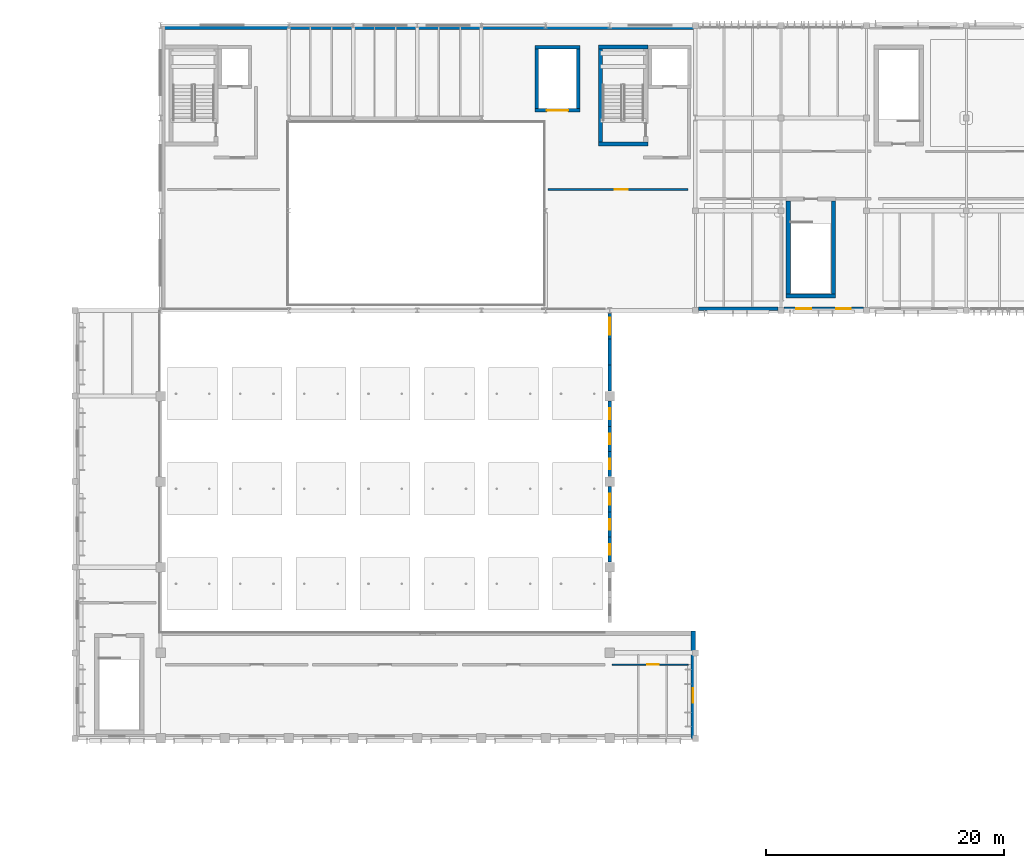
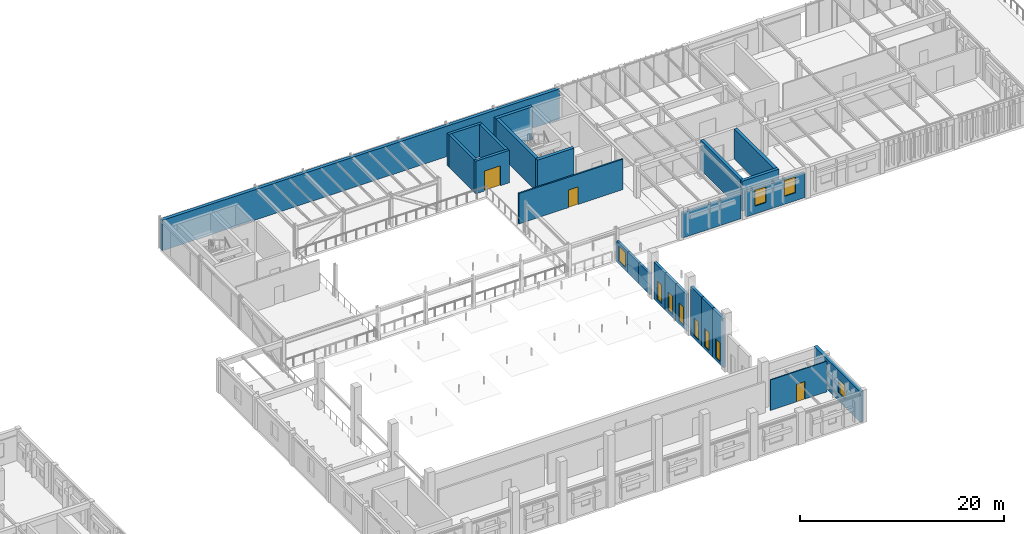
# One storey, part 22 of 44: 25 walls, 10 windows, 3 doors, 13 openings.
"""IFC4 building model written with IfcOpenShell, lengths in metres."""

from ifc_helpers import new_model, si_unit, direction, frame, frame_2d, origin, place, context, subcontext, project, spatial, rectangle, extrude, material, layer, layer_set, type_object, element, fill, save


model = new_model("IFC4")

# Units and contexts
model_context = context("Model", 3, precision=1e-05, world=origin(), true_north=direction((0.0, 1.0)))
body_context = subcontext(model_context, "Body", "Model", "MODEL_VIEW")
ifc_project = project(units=[si_unit("LENGTHUNIT", "METRE"), si_unit("AREAUNIT", "SQUARE_METRE"), si_unit("VOLUMEUNIT", "CUBIC_METRE"), si_unit("PLANEANGLEUNIT", "RADIAN"), si_unit("MASSUNIT", "GRAM", prefix="KILO")], contexts=[model_context])

# Site, building, storey
site_placement = place(None, origin())
site = spatial("IfcSite", under=ifc_project, at=site_placement, CompositionType="ELEMENT")
building_placement = place(site_placement, origin())
building = spatial("IfcBuilding", under=site, at=building_placement, Name="Tazoul Stagehouse", CompositionType="ELEMENT")
storey_placement = place(building_placement, frame((0.0, 0.0, 13.199951171875)))
storey = spatial("IfcBuildingStorey", under=building, at=storey_placement, Name="L03", CompositionType="ELEMENT", Elevation=13.199951171875)

# Wall
ifc_material_1 = material(Name="Ochre Fired Clay Facing Brick Masonry", Category="masonry")
ifc_layer_1 = layer(ifc_material_1, 0.360107421875, Name="Ochre Fired Clay Facing Brick Masonry")
ifc_layer_set_1 = layer_set([ifc_layer_1], Name="Ochre Fired Clay Facing Brick Masonry")
wall_type_1 = type_object("IfcWallType", Name="Acoustic Stagehouse Masonry-Concrete Cavity Wall 360", PredefinedType="SOLIDWALL", material=ifc_layer_set_1)
wall_1_placement = place(storey_placement, frame((57.60009765625, 111.6201171875, 0.0), z_axis=(0.0, 0.0, 1.0), x_axis=(1.0, 0.0, 0.0)))
element("IfcWall", 1, at=wall_1_placement, inside=storey, type_object=wall_type_1, Name="L03 Wall EW-360 (WALL-V2-N-L03-S1)", PredefinedType="SOLIDWALL", context=body_context, shape_type="SweptSolid", body=[
    extrude(rectangle(XDim=45.0, YDim=0.360107421875, at=frame_2d((22.5, 0.0))), origin(), (0.0, 0.0, 1.0), 3.650146484375),
])

# Wall, opening, window
ifc_material_2 = material(Name="Concrete C40/50", Category="concrete")
ifc_layer_2 = layer(ifc_material_2, 0.3798828125, Name="Concrete C40/50")
ifc_layer_set_2 = layer_set([ifc_layer_2], Name="Concrete C40/50")
wall_type_2 = type_object("IfcWallType", Name="Auditorium Shell Acoustic Perimeter Wall 380", PredefinedType="SOLIDWALL", material=ifc_layer_set_2)
wall_2_placement = place(storey_placement, frame((102.409912109375, 51.800048828125, 0.0), z_axis=(0.0, 0.0, 1.0), x_axis=(0.0, 1.0, 0.0)))
wall_2 = element("IfcWall", 2, at=wall_2_placement, inside=storey, type_object=wall_type_2, Name="L03 Wall EW-380 (WALL-V1-E-L03S-S1)", PredefinedType="SOLIDWALL", context=body_context, shape_type="SweptSolid", body=[
    extrude(rectangle(XDim=9.0400390625, YDim=0.3798828125, at=frame_2d((4.52001953125, 0.0))), origin(), (0.0, 0.0, 1.0), 3.650146484375),
])
opening_1_placement = place(wall_2_placement, frame((2.985107421875, 0.0, 0.949951171875)))
opening_1 = element("IfcOpeningElement", 3, at=opening_1_placement, cuts=wall_2, Name="Opening WN-44", PredefinedType="OPENING", context=body_context, shape_type="SweptSolid", body=[
    extrude(rectangle(XDim=1.22998046875, YDim=1.64990234375, at=frame_2d((0.614990234375, 0.824951171875))), frame((0.0, 0.2099609375, 0.0), z_axis=(0.0, -1.0, 0.0), x_axis=(1.0, 0.0, 0.0)), (0.0, 0.0, 1.0), 0.419921875),
])
ifc_material_3 = material(Name="Double Low-E Acoustic Laminated Glass", Category="glass")
window_type_1 = type_object("IfcWindowType", Name="Architectural Acoustic Facade Window 1230x1650", PartitioningType="SINGLE_PANEL", PredefinedType="WINDOW", material=ifc_material_3)
window_1_placement = place(opening_1_placement, origin())
window_1 = element("IfcWindow", 4, at=window_1_placement, inside=storey, type_object=window_type_1, Name="L03 Window WN-44 (WALL-V1-E-L03S-S1-B1-W1)", OverallHeight=1.64990234375, OverallWidth=1.22998046875, PartitioningType="SINGLE_PANEL", PredefinedType="WINDOW", context=body_context, shape_type="SweptSolid", body=[
    extrude(rectangle(XDim=1.22998046875, YDim=1.64990234375, at=frame_2d((0.614990234375, 0.824951171875))), frame((0.0, 0.030029296875, 0.0), z_axis=(0.0, -1.0, 0.0), x_axis=(1.0, 0.0, 0.0)), (0.0, 0.0, 1.0), 0.06005859375),
])
fill(opening_1, window_1)

# Walls
ifc_layer_3 = layer(ifc_material_2, 0.35009765625, Name="Concrete C40/50")
ifc_layer_set_3 = layer_set([ifc_layer_3], Name="Concrete C40/50")
wall_type_3 = type_object("IfcWallType", Name="Core Shear Wall 350", PredefinedType="SOLIDWALL", material=ifc_layer_set_3)
wall_3_placement = place(storey_placement, frame((98.60009765625, 101.824951171875, 0.0), z_axis=(0.0, 0.0, 1.0), x_axis=(-1.0, 0.0, 0.0)))
element("IfcWall", 5, at=wall_3_placement, inside=storey, type_object=wall_type_3, Name="L03 Core Wall CW-350 (SHF-ST-01-south)", PredefinedType="SOLIDWALL", context=body_context, shape_type="SweptSolid", body=[
    extrude(rectangle(XDim=4.150146484375, YDim=0.35009765625, at=frame_2d((2.0751953125, 0.0))), origin(), (0.0, 0.0, 1.0), 3.900146484375),
])
wall_4_placement = place(storey_placement, frame((94.625, 102.0, 0.0), z_axis=(0.0, 0.0, 1.0), x_axis=(0.0, 1.0, 0.0)))
element("IfcWall", 6, at=wall_4_placement, inside=storey, type_object=wall_type_3, Name="L03 Core Wall CW-350 (SHF-ST-01-west)", PredefinedType="SOLIDWALL", context=body_context, shape_type="SweptSolid", body=[
    extrude(rectangle(XDim=7.800048828125, YDim=0.35009765625, at=frame_2d((3.89990234375, 0.0))), origin(), (0.0, 0.0, 1.0), 3.900146484375),
])
wall_5_placement = place(storey_placement, frame((94.449951171875, 109.97509765625, 0.0), z_axis=(0.0, 0.0, 1.0), x_axis=(1.0, 0.0, 0.0)))
element("IfcWall", 7, at=wall_5_placement, inside=storey, type_object=wall_type_3, Name="L03 Core Wall CW-350 (SHF-ST-01-north)", PredefinedType="SOLIDWALL", context=body_context, shape_type="SweptSolid", body=[
    extrude(rectangle(XDim=4.150146484375, YDim=0.35009765625, at=frame_2d((2.0751953125, 0.0))), origin(), (0.0, 0.0, 1.0), 3.900146484375),
])
wall_6_placement = place(storey_placement, frame((114.39990234375, 89.02490234375, 0.0), z_axis=(0.0, 0.0, 1.0), x_axis=(-1.0, 0.0, 0.0)))
element("IfcWall", 8, at=wall_6_placement, inside=storey, type_object=wall_type_3, Name="L03 Core Wall CW-350 (SHF-ST-04-south)", PredefinedType="SOLIDWALL", context=body_context, shape_type="SweptSolid", body=[
    extrude(rectangle(XDim=4.14990234375, YDim=0.35009765625, at=frame_2d((2.074951171875, 0.0))), origin(), (0.0, 0.0, 1.0), 3.60009765625),
])
for number, where, z_axis, x_axis, name in (
    (9, (110.425048828125, 89.199951171875, 0.0), (0.0, 0.0, 1.0), (0.0, 1.0, 0.0), "L03 Core Wall CW-350 (SHF-ST-04-west)"),
    (10, (114.22509765625, 97.0, 0.0), (0.0, 0.0, 1.0), (0.0, -1.0, 0.0), "L03 Core Wall CW-350 (SHF-ST-04-east)"),
):
    element("IfcWall", number, at=place(storey_placement, frame(where, z_axis=z_axis, x_axis=x_axis)), inside=storey, type_object=wall_type_3, Name=name, PredefinedType="SOLIDWALL", context=body_context, shape_type="SweptSolid", body=[
        extrude(rectangle(XDim=7.800048828125, YDim=0.35009765625, at=frame_2d((3.89990234375, 0.0))), origin(), (0.0, 0.0, 1.0), 3.60009765625),
    ])

# Wall, opening, door
ifc_material_4 = material(Name="Gypsum Acoustic Partition", Category="gypsum")
ifc_layer_4 = layer(ifc_material_4, 0.169921875, Name="Gypsum Acoustic Partition")
ifc_layer_set_4 = layer_set([ifc_layer_4], Name="Gypsum Acoustic Partition")
wall_type_4 = type_object("IfcWallType", Name="Corridor Fire-Rated Partition 170", PredefinedType="PARTITIONING", material=ifc_layer_set_4)
wall_7_placement = place(storey_placement, frame((90.199951171875, 98.0, 0.0), z_axis=(0.0, 0.0, 1.0), x_axis=(1.0, 0.0, 0.0)))
wall_7 = element("IfcWall", 11, at=wall_7_placement, inside=storey, type_object=wall_type_4, Name="L03 Partition PW-170 (PW-RM-L03-077-N)", PredefinedType="PARTITIONING", context=body_context, shape_type="SweptSolid", body=[
    extrude(rectangle(XDim=11.800048828125, YDim=0.169921875, at=frame_2d((5.89990234375, 0.0))), origin(), (0.0, 0.0, 1.0), 3.650146484375),
])
opening_2_placement = place(wall_7_placement, frame((5.60009765625, 0.0, 0.0)))
opening_2 = element("IfcOpeningElement", 12, at=opening_2_placement, cuts=wall_7, Name="Opening ID-09", PredefinedType="OPENING", context=body_context, shape_type="SweptSolid", body=[
    extrude(rectangle(XDim=1.10009765625, YDim=2.10009765625, at=frame_2d((0.550048828125, 1.050048828125))), frame((0.0, 0.10498046875, 0.0), z_axis=(0.0, -1.0, 0.0), x_axis=(1.0, 0.0, 0.0)), (0.0, 0.0, 1.0), 0.2099609375),
])
ifc_material_5 = material(Name="Acoustic Cedar Timber", Category="wood")
door_type_1 = type_object("IfcDoorType", Name="Store Room Steel Door 1100x2100", OperationType="NOTDEFINED", PredefinedType="DOOR", material=ifc_material_5)
door_1_placement = place(opening_2_placement, origin())
door_1 = element("IfcDoor", 13, at=door_1_placement, inside=storey, type_object=door_type_1, Name="L03 Stage Right Electro-Acoustic Patch Room Door", OperationType="SINGLE_SWING_LEFT", OverallHeight=2.10009765625, OverallWidth=1.10009765625, PredefinedType="DOOR", context=body_context, shape_type="SweptSolid", body=[
    extrude(rectangle(XDim=1.10009765625, YDim=2.10009765625, at=frame_2d((0.550048828125, 1.050048828125))), frame((0.0, 0.02490234375, 0.0), z_axis=(0.0, -1.0, 0.0), x_axis=(1.0, 0.0, 0.0)), (0.0, 0.0, 1.0), 0.050048828125),
])
fill(opening_2, door_1)

# Wall, opening, window
ifc_material_6 = material(Name="Precast concrete C40/50", Category="concrete")
ifc_layer_5 = layer(ifc_material_6, 0.280029296875, Name="Precast concrete C40/50")
ifc_layer_set_5 = layer_set([ifc_layer_5], Name="Precast concrete C40/50")
wall_type_5 = type_object("IfcWallType", Name="Insulated Precast Acoustic Cladding Wall 280", PredefinedType="SOLIDWALL", material=ifc_layer_set_5)
wall_8_placement = place(storey_placement, frame((95.39990234375, 66.6201171875, -0.02001953125), z_axis=(0.0, 0.0, 1.0), x_axis=(0.0, 1.0, 0.0)))
wall_8 = element("IfcWall", 14, at=wall_8_placement, inside=storey, type_object=wall_type_5, Name="L03 Wall EW-280 (WALL-V1-TYMP-E-B3-1)", PredefinedType="SOLIDWALL", context=body_context, shape_type="SweptSolid", body=[
    extrude(rectangle(XDim=2.119873046875, YDim=0.280029296875, at=frame_2d((1.06005859375, 0.0))), origin(), (0.0, 0.0, 1.0), 5.892333984375),
])
opening_3_placement = place(wall_8_placement, frame((0.610107421875, 0.0, 0.35009765625)))
opening_3 = element("IfcOpeningElement", 15, at=opening_3_placement, cuts=wall_8, Name="Opening WN-01", PredefinedType="OPENING", context=body_context, shape_type="SweptSolid", body=[
    extrude(rectangle(XDim=0.89990234375, YDim=2.199951171875, at=frame_2d((0.449951171875, 1.10009765625))), frame((0.0, 0.159912109375, 0.0), z_axis=(0.0, -1.0, 0.0), x_axis=(1.0, 0.0, 0.0)), (0.0, 0.0, 1.0), 0.320068359375),
])
window_type_2 = type_object("IfcWindowType", Name="Crescent Narrow Vertical Slot Window 900x2200", PartitioningType="SINGLE_PANEL", PredefinedType="WINDOW", material=ifc_material_3)
window_2_placement = place(opening_3_placement, origin())
window_2 = element("IfcWindow", 16, at=window_2_placement, inside=storey, type_object=window_type_2, Name="L03 Window WN-01 (WN-V1-TYMP-E3-1)", OverallHeight=2.199951171875, OverallWidth=0.89990234375, PartitioningType="SINGLE_PANEL", PredefinedType="WINDOW", context=body_context, shape_type="SweptSolid", body=[
    extrude(rectangle(XDim=0.89990234375, YDim=2.199951171875, at=frame_2d((0.449951171875, 1.10009765625))), frame((0.0, 0.030029296875, 0.0), z_axis=(0.0, -1.0, 0.0), x_axis=(1.0, 0.0, 0.0)), (0.0, 0.0, 1.0), 0.06005859375),
])
fill(opening_3, window_2)

wall_9_placement = place(storey_placement, frame((95.39990234375, 68.739990234375, -0.02001953125), z_axis=(0.0, 0.0, 1.0), x_axis=(0.0, 1.0, 0.0)))
wall_9 = element("IfcWall", 17, at=wall_9_placement, inside=storey, type_object=wall_type_5, Name="L03 Wall EW-280 (WALL-V1-TYMP-E-B3-2)", PredefinedType="SOLIDWALL", context=body_context, shape_type="SweptSolid", body=[
    extrude(rectangle(XDim=2.1201171875, YDim=0.280029296875, at=frame_2d((1.06005859375, 0.0))), origin(), (0.0, 0.0, 1.0), 5.892333984375),
])
opening_4_placement = place(wall_9_placement, frame((0.610107421875, 0.0, 0.35009765625)))
opening_4 = element("IfcOpeningElement", 18, at=opening_4_placement, cuts=wall_9, Name="Opening WN-01", PredefinedType="OPENING", context=body_context, shape_type="SweptSolid", body=[
    extrude(rectangle(XDim=0.89990234375, YDim=2.199951171875, at=frame_2d((0.449951171875, 1.10009765625))), frame((0.0, 0.159912109375, 0.0), z_axis=(0.0, -1.0, 0.0), x_axis=(1.0, 0.0, 0.0)), (0.0, 0.0, 1.0), 0.320068359375),
])
window_3_placement = place(opening_4_placement, origin())
window_3 = element("IfcWindow", 19, at=window_3_placement, inside=storey, type_object=window_type_2, Name="L03 Window WN-01 (WN-V1-TYMP-E3-2)", OverallHeight=2.199951171875, OverallWidth=0.89990234375, PartitioningType="SINGLE_PANEL", PredefinedType="WINDOW", context=body_context, shape_type="SweptSolid", body=[
    extrude(rectangle(XDim=0.89990234375, YDim=2.199951171875, at=frame_2d((0.449951171875, 1.10009765625))), frame((0.0, 0.030029296875, 0.0), z_axis=(0.0, -1.0, 0.0), x_axis=(1.0, 0.0, 0.0)), (0.0, 0.0, 1.0), 0.06005859375),
])
fill(opening_4, window_3)

wall_10_placement = place(storey_placement, frame((95.39990234375, 70.860107421875, -0.02001953125), z_axis=(0.0, 0.0, 1.0), x_axis=(0.0, 1.0, 0.0)))
wall_10 = element("IfcWall", 20, at=wall_10_placement, inside=storey, type_object=wall_type_5, Name="L03 Wall EW-280 (WALL-V1-TYMP-E-B3-3)", PredefinedType="SOLIDWALL", context=body_context, shape_type="SweptSolid", body=[
    extrude(rectangle(XDim=2.119873046875, YDim=0.280029296875, at=frame_2d((1.06005859375, 0.0))), origin(), (0.0, 0.0, 1.0), 5.892333984375),
])
opening_5_placement = place(wall_10_placement, frame((0.610107421875, 0.0, 0.35009765625)))
opening_5 = element("IfcOpeningElement", 21, at=opening_5_placement, cuts=wall_10, Name="Opening WN-01", PredefinedType="OPENING", context=body_context, shape_type="SweptSolid", body=[
    extrude(rectangle(XDim=0.89990234375, YDim=2.199951171875, at=frame_2d((0.449951171875, 1.10009765625))), frame((0.0, 0.159912109375, 0.0), z_axis=(0.0, -1.0, 0.0), x_axis=(1.0, 0.0, 0.0)), (0.0, 0.0, 1.0), 0.320068359375),
])
window_4_placement = place(opening_5_placement, origin())
window_4 = element("IfcWindow", 22, at=window_4_placement, inside=storey, type_object=window_type_2, Name="L03 Window WN-01 (WN-V1-TYMP-E3-3)", OverallHeight=2.199951171875, OverallWidth=0.89990234375, PartitioningType="SINGLE_PANEL", PredefinedType="WINDOW", context=body_context, shape_type="SweptSolid", body=[
    extrude(rectangle(XDim=0.89990234375, YDim=2.199951171875, at=frame_2d((0.449951171875, 1.10009765625))), frame((0.0, 0.030029296875, 0.0), z_axis=(0.0, -1.0, 0.0), x_axis=(1.0, 0.0, 0.0)), (0.0, 0.0, 1.0), 0.06005859375),
])
fill(opening_5, window_4)

wall_11_placement = place(storey_placement, frame((95.39990234375, 73.820068359375, -0.02001953125), z_axis=(0.0, 0.0, 1.0), x_axis=(0.0, 1.0, 0.0)))
wall_11 = element("IfcWall", 23, at=wall_11_placement, inside=storey, type_object=wall_type_5, Name="L03 Wall EW-280 (WALL-V1-TYMP-E-B4-1)", PredefinedType="SOLIDWALL", context=body_context, shape_type="SweptSolid", body=[
    extrude(rectangle(XDim=2.119873046875, YDim=0.280029296875, at=frame_2d((1.06005859375, 0.0))), origin(), (0.0, 0.0, 1.0), 4.42724609375),
])
opening_6_placement = place(wall_11_placement, frame((0.610107421875, 0.0, 0.35009765625)))
opening_6 = element("IfcOpeningElement", 24, at=opening_6_placement, cuts=wall_11, Name="Opening WN-01", PredefinedType="OPENING", context=body_context, shape_type="SweptSolid", body=[
    extrude(rectangle(XDim=0.89990234375, YDim=2.199951171875, at=frame_2d((0.449951171875, 1.10009765625))), frame((0.0, 0.159912109375, 0.0), z_axis=(0.0, -1.0, 0.0), x_axis=(1.0, 0.0, 0.0)), (0.0, 0.0, 1.0), 0.320068359375),
])
window_5_placement = place(opening_6_placement, origin())
window_5 = element("IfcWindow", 25, at=window_5_placement, inside=storey, type_object=window_type_2, Name="L03 Window WN-01 (WN-V1-TYMP-E4-1)", OverallHeight=2.199951171875, OverallWidth=0.89990234375, PartitioningType="SINGLE_PANEL", PredefinedType="WINDOW", context=body_context, shape_type="SweptSolid", body=[
    extrude(rectangle(XDim=0.89990234375, YDim=2.199951171875, at=frame_2d((0.449951171875, 1.10009765625))), frame((0.0, 0.030029296875, 0.0), z_axis=(0.0, -1.0, 0.0), x_axis=(1.0, 0.0, 0.0)), (0.0, 0.0, 1.0), 0.06005859375),
])
fill(opening_6, window_5)

wall_12_placement = place(storey_placement, frame((95.39990234375, 75.93994140625, -0.02001953125), z_axis=(0.0, 0.0, 1.0), x_axis=(0.0, 1.0, 0.0)))
wall_12 = element("IfcWall", 26, at=wall_12_placement, inside=storey, type_object=wall_type_5, Name="L03 Wall EW-280 (WALL-V1-TYMP-E-B4-2)", PredefinedType="SOLIDWALL", context=body_context, shape_type="SweptSolid", body=[
    extrude(rectangle(XDim=2.1201171875, YDim=0.280029296875, at=frame_2d((1.06005859375, 0.0))), origin(), (0.0, 0.0, 1.0), 4.42724609375),
])
opening_7_placement = place(wall_12_placement, frame((0.610107421875, 0.0, 0.35009765625)))
opening_7 = element("IfcOpeningElement", 27, at=opening_7_placement, cuts=wall_12, Name="Opening WN-01", PredefinedType="OPENING", context=body_context, shape_type="SweptSolid", body=[
    extrude(rectangle(XDim=0.89990234375, YDim=2.199951171875, at=frame_2d((0.449951171875, 1.10009765625))), frame((0.0, 0.159912109375, 0.0), z_axis=(0.0, -1.0, 0.0), x_axis=(1.0, 0.0, 0.0)), (0.0, 0.0, 1.0), 0.320068359375),
])
window_6_placement = place(opening_7_placement, origin())
window_6 = element("IfcWindow", 28, at=window_6_placement, inside=storey, type_object=window_type_2, Name="L03 Window WN-01 (WN-V1-TYMP-E4-2)", OverallHeight=2.199951171875, OverallWidth=0.89990234375, PartitioningType="SINGLE_PANEL", PredefinedType="WINDOW", context=body_context, shape_type="SweptSolid", body=[
    extrude(rectangle(XDim=0.89990234375, YDim=2.199951171875, at=frame_2d((0.449951171875, 1.10009765625))), frame((0.0, 0.030029296875, 0.0), z_axis=(0.0, -1.0, 0.0), x_axis=(1.0, 0.0, 0.0)), (0.0, 0.0, 1.0), 0.06005859375),
])
fill(opening_7, window_6)

wall_13_placement = place(storey_placement, frame((95.39990234375, 78.06005859375, -0.02001953125), z_axis=(0.0, 0.0, 1.0), x_axis=(0.0, 1.0, 0.0)))
wall_13 = element("IfcWall", 29, at=wall_13_placement, inside=storey, type_object=wall_type_5, Name="L03 Wall EW-280 (WALL-V1-TYMP-E-B4-3)", PredefinedType="SOLIDWALL", context=body_context, shape_type="SweptSolid", body=[
    extrude(rectangle(XDim=2.119873046875, YDim=0.280029296875, at=frame_2d((1.06005859375, 0.0))), origin(), (0.0, 0.0, 1.0), 4.42724609375),
])
opening_8_placement = place(wall_13_placement, frame((0.610107421875, 0.0, 0.35009765625)))
opening_8 = element("IfcOpeningElement", 30, at=opening_8_placement, cuts=wall_13, Name="Opening WN-01", PredefinedType="OPENING", context=body_context, shape_type="SweptSolid", body=[
    extrude(rectangle(XDim=0.89990234375, YDim=2.199951171875, at=frame_2d((0.449951171875, 1.10009765625))), frame((0.0, 0.159912109375, 0.0), z_axis=(0.0, -1.0, 0.0), x_axis=(1.0, 0.0, 0.0)), (0.0, 0.0, 1.0), 0.320068359375),
])
window_7_placement = place(opening_8_placement, origin())
window_7 = element("IfcWindow", 31, at=window_7_placement, inside=storey, type_object=window_type_2, Name="L03 Window WN-01 (WN-V1-TYMP-E4-3)", OverallHeight=2.199951171875, OverallWidth=0.89990234375, PartitioningType="SINGLE_PANEL", PredefinedType="WINDOW", context=body_context, shape_type="SweptSolid", body=[
    extrude(rectangle(XDim=0.89990234375, YDim=2.199951171875, at=frame_2d((0.449951171875, 1.10009765625))), frame((0.0, 0.030029296875, 0.0), z_axis=(0.0, -1.0, 0.0), x_axis=(1.0, 0.0, 0.0)), (0.0, 0.0, 1.0), 0.06005859375),
])
fill(opening_8, window_7)

# Walls
for number, where, z_axis, x_axis, name in (
    (32, (95.39990234375, 81.02001953125, -0.02001953125), (0.0, 0.0, 1.0), (0.0, 1.0, 0.0), "L03 Wall EW-280 (WALL-V1-TYMP-E-B5-1)"),
    (33, (95.39990234375, 83.203369140625, -0.02001953125), (0.0, 0.0, 1.0), (0.0, 1.0, 0.0), "L03 Wall EW-280 (WALL-V1-TYMP-E-B5-2)"),
):
    element("IfcWall", number, at=place(storey_placement, frame(where, z_axis=z_axis, x_axis=x_axis)), inside=storey, type_object=wall_type_5, Name=name, PredefinedType="SOLIDWALL", context=body_context, shape_type="SweptSolid", body=[
        extrude(rectangle(XDim=2.183349609375, YDim=0.280029296875, at=frame_2d((1.091796875, 0.0))), origin(), (0.0, 0.0, 1.0), 2.505126953125),
    ])

# Wall, opening, window
wall_14_placement = place(storey_placement, frame((95.39990234375, 85.38671875, -0.02001953125), z_axis=(0.0, 0.0, 1.0), x_axis=(0.0, 1.0, 0.0)))
wall_14 = element("IfcWall", 34, at=wall_14_placement, inside=storey, type_object=wall_type_5, Name="L03 Wall EW-280 (WALL-V1-TYMP-E-B5-3)", PredefinedType="SOLIDWALL", context=body_context, shape_type="SweptSolid", body=[
    extrude(rectangle(XDim=2.183349609375, YDim=0.280029296875, at=frame_2d((1.091796875, 0.0))), origin(), (0.0, 0.0, 1.0), 2.505126953125),
])
opening_9_placement = place(wall_14_placement, frame((0.3916015625, 0.0, 0.35009765625)))
opening_9 = element("IfcOpeningElement", 35, at=opening_9_placement, cuts=wall_14, Name="Opening WN-04", PredefinedType="OPENING", context=body_context, shape_type="SweptSolid", body=[
    extrude(rectangle(XDim=1.39990234375, YDim=1.800048828125, at=frame_2d((0.699951171875, 0.89990234375))), frame((0.0, 0.159912109375, 0.0), z_axis=(0.0, -1.0, 0.0), x_axis=(1.0, 0.0, 0.0)), (0.0, 0.0, 1.0), 0.320068359375),
])
window_type_3 = type_object("IfcWindowType", Name="Clerestory Acoustic Fixed Light 1400x1800", PartitioningType="SINGLE_PANEL", PredefinedType="WINDOW", material=ifc_material_3)
window_8_placement = place(opening_9_placement, origin())
window_8 = element("IfcWindow", 36, at=window_8_placement, inside=storey, type_object=window_type_3, Name="L03 Window WN-04 (WN-V1-TYMP-E5-3)", OverallHeight=1.800048828125, OverallWidth=1.39990234375, PartitioningType="SINGLE_PANEL", PredefinedType="WINDOW", context=body_context, shape_type="SweptSolid", body=[
    extrude(rectangle(XDim=1.39990234375, YDim=1.800048828125, at=frame_2d((0.699951171875, 0.89990234375))), frame((0.0, 0.030029296875, 0.0), z_axis=(0.0, -1.0, 0.0), x_axis=(1.0, 0.0, 0.0)), (0.0, 0.0, 1.0), 0.06005859375),
])
fill(opening_9, window_8)

# Wall
wall_15_placement = place(storey_placement, frame((102.85498046875, 87.949951171875, 0.0), z_axis=(0.0, 0.0, 1.0), x_axis=(1.0, 0.0, 0.0)))
element("IfcWall", 37, at=wall_15_placement, inside=storey, type_object=wall_type_5, Name="L03 Wall EW-280 (WALL-V3-S1-L03-S1)", PredefinedType="SOLIDWALL", context=body_context, shape_type="SweptSolid", body=[
    extrude(rectangle(XDim=6.68994140625, YDim=0.280029296875, at=frame_2d((3.344970703125, 0.0))), origin(), (0.0, 0.0, 1.0), 2.983154296875),
])

# Wall, openings, windows
wall_16_placement = place(storey_placement, frame((110.054931640625, 87.949951171875, 0.0), z_axis=(0.0, 0.0, 1.0), x_axis=(1.0, 0.0, 0.0)))
wall_16 = element("IfcWall", 38, at=wall_16_placement, inside=storey, type_object=wall_type_5, Name="L03 Wall EW-280 (WALL-V3-S1-L03-S2)", PredefinedType="SOLIDWALL", context=body_context, shape_type="SweptSolid", body=[
    extrude(rectangle(XDim=6.690185546875, YDim=0.280029296875, at=frame_2d((3.34521484375, 0.0))), origin(), (0.0, 0.0, 1.0), 2.9931640625),
])
opening_10_placement = place(wall_16_placement, frame((1.0576171875, 0.0, 0.949951171875)))
opening_10 = element("IfcOpeningElement", 39, at=opening_10_placement, cuts=wall_16, Name="Opening WN-69", PredefinedType="OPENING", context=body_context, shape_type="SweptSolid", body=[
    extrude(rectangle(XDim=1.22998046875, YDim=1.89990234375, at=frame_2d((0.614990234375, 0.949951171875))), frame((0.0, 0.159912109375, 0.0), z_axis=(0.0, -1.0, 0.0), x_axis=(1.0, 0.0, 0.0)), (0.0, 0.0, 1.0), 0.320068359375),
])
opening_11_placement = place(wall_16_placement, frame((4.402587890625, 0.0, 0.949951171875)))
opening_11 = element("IfcOpeningElement", 40, at=opening_11_placement, cuts=wall_16, Name="Opening WN-69", PredefinedType="OPENING", context=body_context, shape_type="SweptSolid", body=[
    extrude(rectangle(XDim=1.22998046875, YDim=1.89990234375, at=frame_2d((0.614990234375, 0.949951171875))), frame((0.0, 0.159912109375, 0.0), z_axis=(0.0, -1.0, 0.0), x_axis=(1.0, 0.0, 0.0)), (0.0, 0.0, 1.0), 0.320068359375),
])
window_type_4 = type_object("IfcWindowType", Name="Architectural Acoustic Facade Window 1230x1900", PartitioningType="SINGLE_PANEL", PredefinedType="WINDOW", material=ifc_material_3)
window_9_placement = place(opening_10_placement, origin())
window_9 = element("IfcWindow", 41, at=window_9_placement, inside=storey, type_object=window_type_4, Name="L03 Window WN-69 (WALL-V3-S1-L03-S2-W1)", OverallHeight=1.89990234375, OverallWidth=1.22998046875, PartitioningType="SINGLE_PANEL", PredefinedType="WINDOW", context=body_context, shape_type="SweptSolid", body=[
    extrude(rectangle(XDim=1.22998046875, YDim=1.89990234375, at=frame_2d((0.614990234375, 0.949951171875))), frame((0.0, 0.030029296875, 0.0), z_axis=(0.0, -1.0, 0.0), x_axis=(1.0, 0.0, 0.0)), (0.0, 0.0, 1.0), 0.06005859375),
])
fill(opening_10, window_9)
window_10_placement = place(opening_11_placement, origin())
window_10 = element("IfcWindow", 42, at=window_10_placement, inside=storey, type_object=window_type_4, Name="L03 Window WN-69 (WALL-V3-S1-L03-S2-W2)", OverallHeight=1.89990234375, OverallWidth=1.22998046875, PartitioningType="SINGLE_PANEL", PredefinedType="WINDOW", context=body_context, shape_type="SweptSolid", body=[
    extrude(rectangle(XDim=1.22998046875, YDim=1.89990234375, at=frame_2d((0.614990234375, 0.949951171875))), frame((0.0, 0.030029296875, 0.0), z_axis=(0.0, -1.0, 0.0), x_axis=(1.0, 0.0, 0.0)), (0.0, 0.0, 1.0), 0.06005859375),
])
fill(opening_11, window_10)

# Wall, opening, door
ifc_layer_6 = layer(ifc_material_2, 0.300048828125, Name="Concrete C40/50")
ifc_layer_set_6 = layer_set([ifc_layer_6], Name="Concrete C40/50")
wall_type_6 = type_object("IfcWallType", Name="Lift Shaft Wall 300", PredefinedType="SOLIDWALL", material=ifc_layer_set_6)
wall_17_placement = place(storey_placement, frame((92.89990234375, 104.64990234375, 0.0), z_axis=(0.0, 0.0, 1.0), x_axis=(-1.0, 0.0, 0.0)))
wall_17 = element("IfcWall", 43, at=wall_17_placement, inside=storey, type_object=wall_type_6, Name="L03 Core Wall CW-300 (LSHF-GL-01-south)", PredefinedType="SOLIDWALL", context=body_context, shape_type="SweptSolid", body=[
    extrude(rectangle(XDim=3.7998046875, YDim=0.300048828125, at=frame_2d((1.89990234375, 0.0))), origin(), (0.0, 0.0, 1.0), 3.900146484375),
])
opening_12_placement = place(wall_17_placement, frame((1.0, 0.0, 0.0)))
opening_12 = element("IfcOpeningElement", 44, at=opening_12_placement, cuts=wall_17, Name="Opening LD-07", PredefinedType="OPENING", context=body_context, shape_type="SweptSolid", body=[
    extrude(rectangle(XDim=1.800048828125, YDim=2.39990234375, at=frame_2d((0.89990234375, 1.199951171875))), frame((0.0, 0.169921875, 0.0), z_axis=(0.0, -1.0, 0.0), x_axis=(1.0, 0.0, 0.0)), (0.0, 0.0, 1.0), 0.340087890625),
])
ifc_material_7 = material(Name="Powder-Coated Galvanised Acoustic Steel", Category="steel")
door_type_2 = type_object("IfcDoorType", Name="Scenery Goods Lift Sliding Door 1800x2400", OperationType="DOUBLE_DOOR_SLIDING", PredefinedType="DOOR", material=ifc_material_7)
door_2_placement = place(opening_12_placement, origin())
door_2 = element("IfcDoor", 45, at=door_2_placement, inside=storey, type_object=door_type_2, Name="L03 Lift Landing Sliding Door LD-07 (GL-01)", OperationType="DOUBLE_DOOR_SLIDING", OverallHeight=2.39990234375, OverallWidth=1.800048828125, PredefinedType="DOOR", context=body_context, shape_type="SweptSolid", body=[
    extrude(rectangle(XDim=1.800048828125, YDim=2.39990234375, at=frame_2d((0.89990234375, 1.199951171875))), frame((0.0, 0.02490234375, 0.0), z_axis=(0.0, -1.0, 0.0), x_axis=(1.0, 0.0, 0.0)), (0.0, 0.0, 1.0), 0.050048828125),
])
fill(opening_12, door_2)

# Walls
wall_18_placement = place(storey_placement, frame((89.25, 104.800048828125, 0.0), z_axis=(0.0, 0.0, 1.0), x_axis=(0.0, 1.0, 0.0)))
element("IfcWall", 46, at=wall_18_placement, inside=storey, type_object=wall_type_6, Name="L03 Core Wall CW-300 (LSHF-GL-01-west)", PredefinedType="SOLIDWALL", context=body_context, shape_type="SweptSolid", body=[
    extrude(rectangle(XDim=5.0, YDim=0.300048828125, at=frame_2d((2.5, 0.0))), origin(), (0.0, 0.0, 1.0), 3.900146484375),
])
wall_19_placement = place(storey_placement, frame((89.10009765625, 109.949951171875, 0.0), z_axis=(0.0, 0.0, 1.0), x_axis=(1.0, 0.0, 0.0)))
element("IfcWall", 47, at=wall_19_placement, inside=storey, type_object=wall_type_6, Name="L03 Core Wall CW-300 (LSHF-GL-01-north)", PredefinedType="SOLIDWALL", context=body_context, shape_type="SweptSolid", body=[
    extrude(rectangle(XDim=3.7998046875, YDim=0.300048828125, at=frame_2d((1.89990234375, 0.0))), origin(), (0.0, 0.0, 1.0), 3.900146484375),
])
wall_20_placement = place(storey_placement, frame((92.75, 109.800048828125, 0.0), z_axis=(0.0, 0.0, 1.0), x_axis=(0.0, -1.0, 0.0)))
element("IfcWall", 48, at=wall_20_placement, inside=storey, type_object=wall_type_6, Name="L03 Core Wall CW-300 (LSHF-GL-01-east)", PredefinedType="SOLIDWALL", context=body_context, shape_type="SweptSolid", body=[
    extrude(rectangle(XDim=5.0, YDim=0.300048828125, at=frame_2d((2.5, 0.0))), origin(), (0.0, 0.0, 1.0), 3.900146484375),
])

# Wall, opening, door
ifc_layer_7 = layer(ifc_material_4, 0.110107421875, Name="Gypsum Acoustic Partition")
ifc_layer_set_7 = layer_set([ifc_layer_7], Name="Gypsum Acoustic Partition")
wall_type_7 = type_object("IfcWallType", Name="Wet-Area Tile Backing Partition 110", PredefinedType="PARTITIONING", material=ifc_layer_set_7)
wall_21_placement = place(storey_placement, frame((95.60009765625, 58.0, 0.0), z_axis=(0.0, 0.0, 1.0), x_axis=(1.0, 0.0, 0.0)))
wall_21 = element("IfcWall", 49, at=wall_21_placement, inside=storey, type_object=wall_type_7, Name="L03 Partition PW-110 (PW-RM-L03-073-N)", PredefinedType="PARTITIONING", context=body_context, shape_type="SweptSolid", body=[
    extrude(rectangle(XDim=6.39990234375, YDim=0.110107421875, at=frame_2d((3.199951171875, 0.0))), origin(), (0.0, 0.0, 1.0), 3.66015625),
])
opening_13_placement = place(wall_21_placement, frame((2.96240234375, 0.0, 0.0)))
opening_13 = element("IfcOpeningElement", 50, at=opening_13_placement, cuts=wall_21, Name="Opening ID-02", PredefinedType="OPENING", context=body_context, shape_type="SweptSolid", body=[
    extrude(rectangle(XDim=0.949951171875, YDim=2.10009765625, at=frame_2d((0.47509765625, 1.050048828125))), frame((0.0, 0.074951171875, 0.0), z_axis=(0.0, -1.0, 0.0), x_axis=(1.0, 0.0, 0.0)), (0.0, 0.0, 1.0), 0.150146484375),
])
door_type_3 = type_object("IfcDoorType", Name="Accessible WC Door 950x2100", OperationType="NOTDEFINED", PredefinedType="DOOR", material=ifc_material_5)
door_3_placement = place(opening_13_placement, origin())
door_3 = element("IfcDoor", 51, at=door_3_placement, inside=storey, type_object=door_type_3, Name="L03 Interpretation Booths and Accessible WC Door", OperationType="SINGLE_SWING_RIGHT", OverallHeight=2.10009765625, OverallWidth=0.949951171875, PredefinedType="DOOR", context=body_context, shape_type="SweptSolid", body=[
    extrude(rectangle(XDim=0.949951171875, YDim=2.10009765625, at=frame_2d((0.47509765625, 1.050048828125))), frame((0.0, 0.02490234375, 0.0), z_axis=(0.0, -1.0, 0.0), x_axis=(1.0, 0.0, 0.0)), (0.0, 0.0, 1.0), 0.050048828125),
])
fill(opening_13, door_3)

save(model, "model.ifc")
